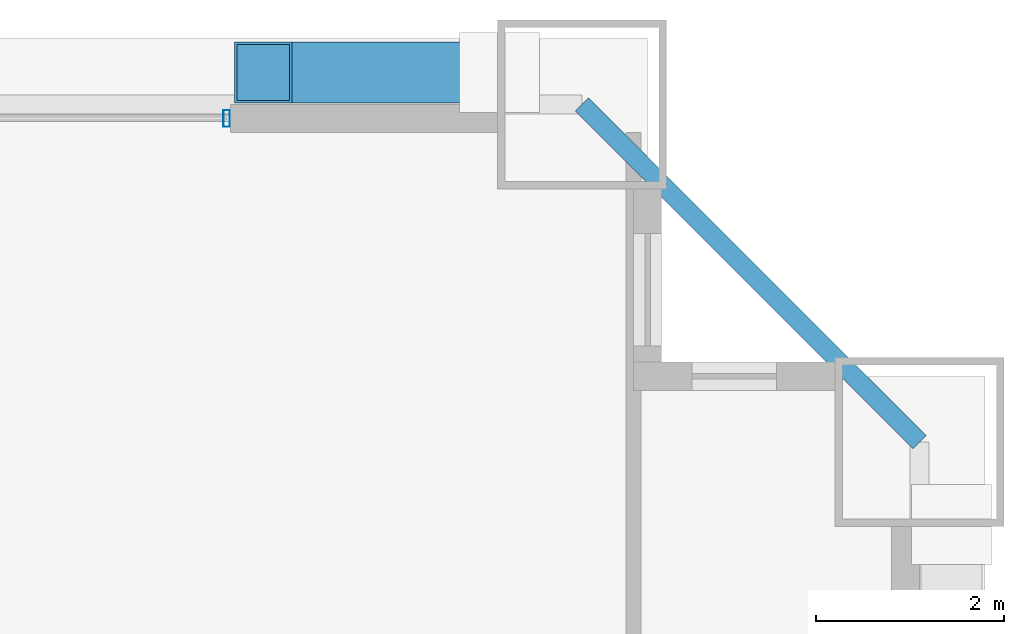
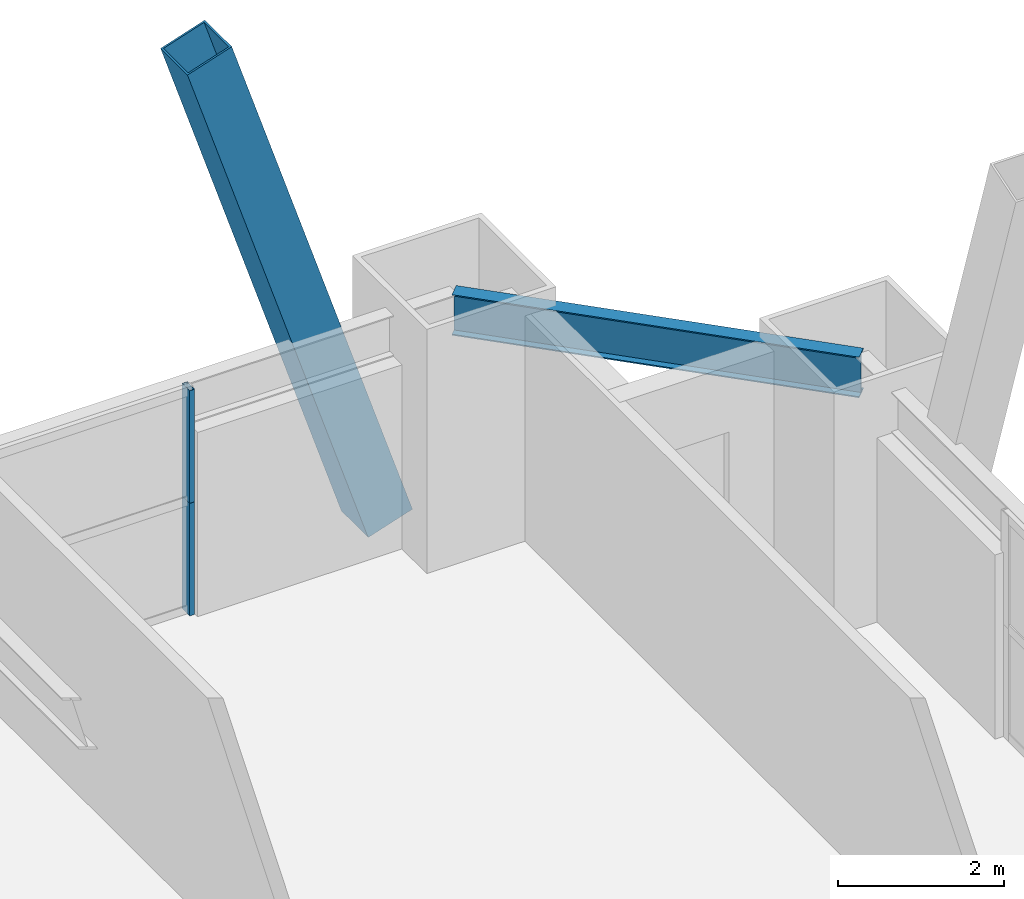
# One storey, part 37 of 43: 3 members, 1 beam, 1 element without a shape of its own.
"""IFC4 building model written with IfcOpenShell, lengths in metres."""

from ifc_helpers import new_model, si_unit, direction, frame, origin, origin_2d, place, context, subcontext, project, spatial, hollow_rectangle, i_section, extrude, source, transform, mapped, material, layer, layer_set, material_profile, profile_set, type_object, element, aggregate, save


model = new_model("IFC4")

# Units and contexts
model_context = context("Model", 3, precision=1e-05, world=origin(), true_north=direction((0.0, 1.0)))
body_context = subcontext(model_context, "Body", "Model", "MODEL_VIEW")
ifc_project = project(units=[si_unit("LENGTHUNIT", "METRE"), si_unit("AREAUNIT", "SQUARE_METRE"), si_unit("VOLUMEUNIT", "CUBIC_METRE"), si_unit("PLANEANGLEUNIT", "RADIAN"), si_unit("MASSUNIT", "GRAM", prefix="KILO"), si_unit("THERMODYNAMICTEMPERATUREUNIT", "KELVIN"), si_unit("POWERUNIT", "WATT")], contexts=[model_context])

# Site, building, storey
site_placement = place(None, origin())
site = spatial("IfcSite", under=ifc_project, at=site_placement, CompositionType="ELEMENT")
building_placement = place(site_placement, origin())
building = spatial("IfcBuilding", under=site, at=building_placement, Name="Yuzanri Waterfront Tower", CompositionType="ELEMENT")
storey_placement = place(building_placement, frame((0.0, 0.0, 37.800048828125)))
storey = spatial("IfcBuildingStorey", under=building, at=storey_placement, Name="L09", CompositionType="ELEMENT", Elevation=37.800048828125)

# Beam
ifc_material_1 = material(Name="Steel Q355B", Category="steel")
ifc_material_profile_1 = material_profile(ifc_material_1, i_section(OverallWidth=0.199951171875, OverallDepth=0.60009765625, WebThickness=0.010986328125, FlangeThickness=0.01708984375, at=origin_2d()), Name="HN 600x200x11x17")
ifc_profile_set_1 = profile_set([ifc_material_profile_1], Name="Steel Q355B")
beam_type = type_object("IfcBeamType", Name="Perimeter Spandrel Q355B HN 600x200", PredefinedType="SPANDREL", material=ifc_profile_set_1)
shared_shape_1 = source(origin(), body_context, "Body", "SweptSolid", [
    extrude(i_section(OverallWidth=0.199951171875, OverallDepth=0.60009765625, WebThickness=0.010986328125, FlangeThickness=0.01708984375, at=origin_2d()), origin(), (0.0, 0.0, 1.0), 5.091064453125),
])
beam_placement = place(storey_placement, frame((62.10009765625, 47.300048828125, 3.02001953125), z_axis=(-0.707130757816, 0.707082803744, 0.0), x_axis=(-0.707082803744, -0.707130757816, 0.0)))
element("IfcBeam", 1, at=beam_placement, inside=storey, type_object=beam_type, Name="L09 Perimeter Spandrel E3-N3", PredefinedType="SPANDREL", context=body_context, shape_type="MappedRepresentation", body=[
    mapped(shared_shape_1, transform((0.0, 0.0, 0.0), scale=1.0)),
])

# Member
ifc_material_2 = material(Name="Steel Q420GJC", Category="steel")
ifc_material_profile_2 = material_profile(ifc_material_2, hollow_rectangle(XDim=0.64990234375, YDim=0.64990234375, WallThickness=0.028076171875, at=origin_2d()), Name="RHS 650x650x28")
ifc_profile_set_2 = profile_set([ifc_material_profile_2], Name="Steel Q420GJC")
member_type_1 = type_object("IfcMemberType", Name="Mega Brace Lower Q420GJC RHS 650x650x28", PredefinedType="BRACE", material=ifc_profile_set_2)
shared_shape_2 = source(origin(), body_context, "Body", "SweptSolid", [
    extrude(hollow_rectangle(XDim=0.64990234375, YDim=0.64990234375, WallThickness=0.028076171875, at=origin_2d()), origin(), (0.0, 0.0, 1.0), 8.101806640625),
])
member_1_placement = place(storey_placement, frame((57.6201171875, 51.239990234375, 0.179931640625), z_axis=(-0.311043019491, 0.0, 0.950395833338), x_axis=(0.0, -1.0, 0.0)))
element("IfcMember", 2, at=member_1_placement, inside=storey, type_object=member_type_1, Name="L09-L10 Perimeter Mega-Brace N-R", PredefinedType="BRACE", context=body_context, shape_type="MappedRepresentation", body=[
    mapped(shared_shape_2, transform((0.0, 0.0, 0.0), scale=1.0)),
])

# Curtain wall, members
ifc_material_3 = material(Name="Anodized Architectural Bronze", Category="metal")
ifc_layer = layer(ifc_material_3, 0.159912109375)
ifc_layer_set = layer_set([ifc_layer], Name="Anodized Architectural Bronze")
curtain_wall_type = type_object("IfcCurtainWallType", Name="Anodized Bronze Hotel Lower-Tier Recessed Unitized Curtain Wall 8100", PredefinedType="NOTDEFINED", material=ifc_layer_set)
curtain_wall_placement = place(storey_placement, origin())
curtain_wall = element("IfcCurtainWall", 3, at=curtain_wall_placement, inside=storey, type_object=curtain_wall_type, Name="L09 Curtain Wall CW-L09-NR", PredefinedType="NOTDEFINED")
ifc_material_4 = material(Name="Anodized Architectural Bronze", Category="metal")
ifc_material_profile_3 = material_profile(ifc_material_4, hollow_rectangle(XDim=0.070068359375, YDim=0.179931640625, WallThickness=0.00390625, at=origin_2d()), Name="CWM 70x180")
ifc_profile_set_3 = profile_set([ifc_material_profile_3], Name="Anodized Architectural Bronze")
member_type_2 = type_object("IfcMemberType", Name="Anodized Bronze Standard Curtain-Wall Mullion 70x180", PredefinedType="MULLION", material=ifc_profile_set_3)
shared_shape_3 = source(origin(), body_context, "Body", "SweptSolid", [
    extrude(hollow_rectangle(XDim=0.070068359375, YDim=0.179931640625, WallThickness=0.00390625, at=origin_2d()), origin(), (0.0, 0.0, 1.0), 1.657958984375),
])
member_2_placement = place(storey_placement, frame((54.7099609375, 50.75, 0.0), z_axis=(0.0, 0.0, 1.0), x_axis=(1.0, 0.0, 0.0)))
member_2 = element("IfcMember", 4, at=member_2_placement, type_object=member_type_2, Name="CW-L09-NR Lower Mullion 02", PredefinedType="MULLION", context=body_context, shape_type="MappedRepresentation", body=[
    mapped(shared_shape_3, transform((0.0, 0.0, 0.0), scale=1.0)),
])
shared_shape_4 = source(origin(), body_context, "Body", "SweptSolid", [
    extrude(hollow_rectangle(XDim=0.070068359375, YDim=0.179931640625, WallThickness=0.00390625, at=origin_2d()), origin(), (0.0, 0.0, 1.0), 1.658203125),
])
member_3_placement = place(storey_placement, frame((54.7099609375, 50.75, 1.661865234375), z_axis=(0.0, 0.0, 1.0), x_axis=(1.0, 0.0, 0.0)))
member_3 = element("IfcMember", 5, at=member_3_placement, type_object=member_type_2, Name="CW-L09-NR Upper Mullion 02", PredefinedType="MULLION", context=body_context, shape_type="MappedRepresentation", body=[
    mapped(shared_shape_4, transform((0.0, 0.0, 0.0), scale=1.0)),
])
aggregate(curtain_wall, [member_2, member_3])

save(model, "model.ifc")
